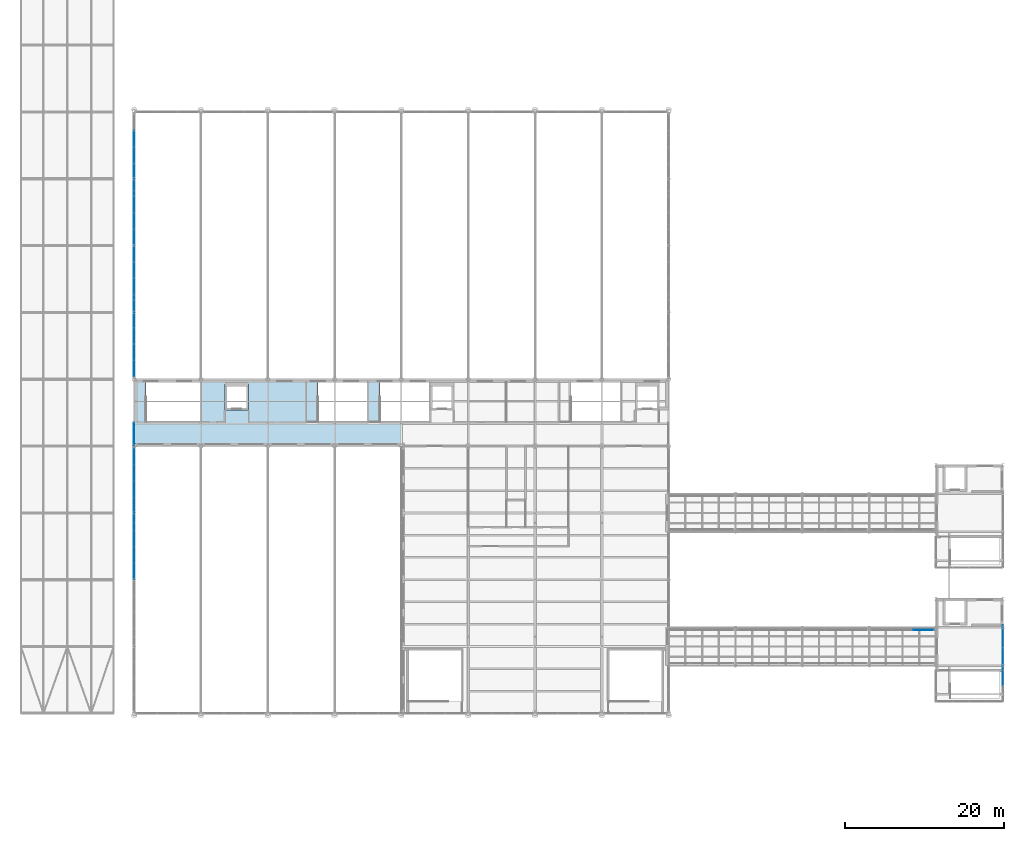
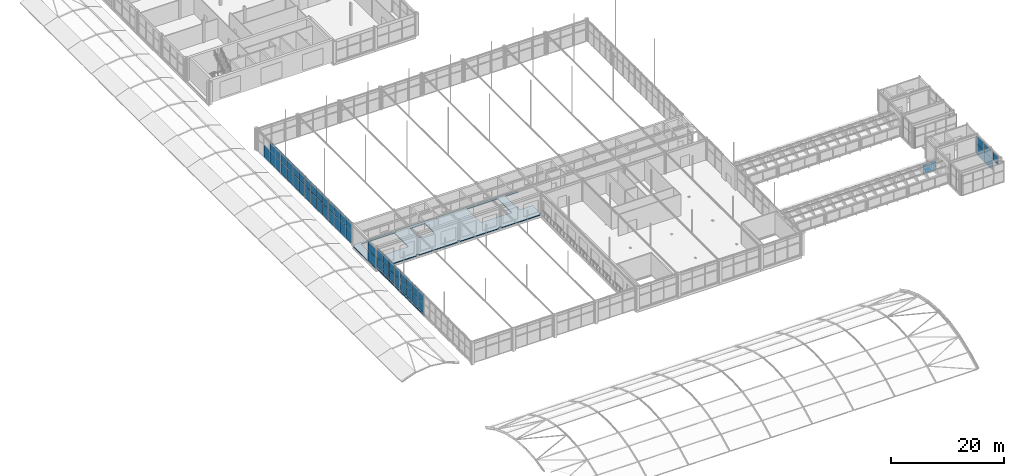
# One storey, part 144 of 167: 61 plates, 1 slab, 7 elements without a shape of their own.
"""IFC4 building model written with IfcOpenShell, lengths in metres."""

from ifc_helpers import new_model, si_unit, direction, frame, origin, origin_2d, place, context, subcontext, project, spatial, polyline, rectangle, outline, extrude, material, layer, layer_set, type_object, element, aggregate, save


model = new_model("IFC4")

# Units and contexts
model_context = context("Model", 3, precision=1e-05, world=origin(), true_north=direction((0.0, 1.0)))
body_context = subcontext(model_context, "Body", "Model", "MODEL_VIEW")
ifc_project = project(units=[si_unit("LENGTHUNIT", "METRE"), si_unit("AREAUNIT", "SQUARE_METRE"), si_unit("VOLUMEUNIT", "CUBIC_METRE"), si_unit("PLANEANGLEUNIT", "RADIAN"), si_unit("MASSUNIT", "GRAM", prefix="KILO")], contexts=[model_context])

# Site, building, storey
site_placement = place(None, origin())
site = spatial("IfcSite", under=ifc_project, at=site_placement, CompositionType="ELEMENT")
building_placement = place(site_placement, origin())
building = spatial("IfcBuilding", under=site, at=building_placement, Name="Catenary Quay Ferry Terminal", CompositionType="ELEMENT")
storey_placement = place(building_placement, frame((0.0, 0.0, 6.0)))
storey = spatial("IfcBuildingStorey", under=building, at=storey_placement, Name="L01", CompositionType="ELEMENT", Elevation=6.0)

# Slab
ifc_material_1 = material(Name="Concrete C35/45", Category="concrete")
ifc_layer_1 = layer(ifc_material_1, 0.199951171875)
ifc_layer_set_1 = layer_set([ifc_layer_1], Name="Composite floor slab 200")
slab_type = type_object("IfcSlabType", Name="Composite floor slab 200", PredefinedType="FLOOR", material=ifc_layer_set_1)
slab_placement = place(storey_placement, frame((0.0, 0.0, -0.199951171875)))
element("IfcSlab", 1, at=slab_placement, inside=storey, type_object=slab_type, Name="L01 spine floor slab", PredefinedType="FLOOR", context=body_context, shape_type="SweptSolid", body=[
    extrude(outline(polyline([(58.800048828125, 101.06396484375), (58.535888671875, 101.06396484375), (58.535888671875, 100.800048828125), (50.6640625, 100.800048828125), (50.6640625, 101.06396484375), (50.135986328125, 101.06396484375), (50.135986328125, 100.800048828125), (42.263916015625, 100.800048828125), (42.263916015625, 101.06396484375), (41.736083984375, 101.06396484375), (41.736083984375, 100.800048828125), (33.864013671875, 100.800048828125), (33.864013671875, 101.06396484375), (33.3359375, 101.06396484375), (33.3359375, 100.800048828125), (25.464111328125, 100.800048828125), (25.464111328125, 101.06396484375), (25.199951171875, 101.06396484375), (25.199951171875, 108.93603515625), (25.464111328125, 108.93603515625), (25.464111328125, 109.199951171875), (33.3359375, 109.199951171875), (33.3359375, 108.93603515625), (33.864013671875, 108.93603515625), (33.864013671875, 109.199951171875), (41.736083984375, 109.199951171875), (41.736083984375, 108.93603515625), (42.263916015625, 108.93603515625), (42.263916015625, 109.199951171875), (50.135986328125, 109.199951171875), (50.135986328125, 108.93603515625), (50.6640625, 108.93603515625), (50.6640625, 109.199951171875), (58.535888671875, 109.199951171875), (58.535888671875, 108.93603515625), (58.800048828125, 108.93603515625), (58.800048828125, 108.800048828125), (56.10009765625, 108.800048828125), (56.10009765625, 103.89990234375), (58.800048828125, 103.89990234375), (58.800048828125, 101.06396484375)]), holes=[polyline([(33.5, 103.89990234375), (33.5, 108.800048828125), (26.699951171875, 108.800048828125), (26.699951171875, 103.89990234375), (33.5, 103.89990234375)]), polyline([(39.60009765625, 105.300048828125), (39.60009765625, 108.60009765625), (36.60009765625, 108.60009765625), (36.60009765625, 105.300048828125), (39.60009765625, 105.300048828125)]), polyline([(54.5, 103.89990234375), (54.5, 108.800048828125), (48.300048828125, 108.800048828125), (48.300048828125, 103.89990234375), (54.5, 103.89990234375)])]), origin(), (0.0, 0.0, 1.0), 0.199951171875),
])

# Curtain wall, plates
ifc_material_2 = material(Name="Aluminium and glass", Category="aluminium")
curtain_wall_type_1 = type_object("IfcCurtainWallType", Name="CWG", PredefinedType="NOTDEFINED", material=ifc_material_2)
curtain_wall_1_placement = place(storey_placement, origin())
curtain_wall_1 = element("IfcCurtainWall", 2, at=curtain_wall_1_placement, inside=storey, type_object=curtain_wall_type_1, Name="Gable arrivals hall curtain wall CW4", PredefinedType="NOTDEFINED")
ifc_material_3 = material(Name="Glass", Category="glass")
ifc_layer_2 = layer(ifc_material_3, 0.031982421875)
ifc_layer_set_2 = layer_set([ifc_layer_2], Name="PN1")
plate_type_1 = type_object("IfcPlateType", Name="PN1", PredefinedType="CURTAIN_PANEL", material=ifc_layer_set_2)
plate_1_placement = place(storey_placement, frame((25.199951171875, 85.03125, 0.66015625), z_axis=(0.0, 0.0, 1.0), x_axis=(0.0, 1.0, 0.0)))
plate_1 = element("IfcPlate", 3, at=plate_1_placement, type_object=plate_type_1, Name="CW4 panel 9.1", PredefinedType="CURTAIN_PANEL", context=body_context, shape_type="SweptSolid", body=[
    extrude(rectangle(XDim=2.00244140625, YDim=0.031982421875, at=origin_2d()), origin(), (0.0, 0.0, 1.0), 2.010009765625),
])
plate_2_placement = place(storey_placement, frame((25.199951171875, 85.03125, 2.72998046875), z_axis=(0.0, 0.0, 1.0), x_axis=(0.0, 1.0, 0.0)))
plate_2 = element("IfcPlate", 4, at=plate_2_placement, type_object=plate_type_1, Name="CW4 panel 9.2", PredefinedType="CURTAIN_PANEL", context=body_context, shape_type="SweptSolid", body=[
    extrude(rectangle(XDim=2.00244140625, YDim=0.031982421875, at=origin_2d()), origin(), (0.0, 0.0, 1.0), 2.010009765625),
])
plate_3_placement = place(storey_placement, frame((25.199951171875, 87.09375, 0.66015625), z_axis=(0.0, 0.0, 1.0), x_axis=(0.0, 1.0, 0.0)))
plate_3 = element("IfcPlate", 5, at=plate_3_placement, type_object=plate_type_1, Name="CW4 panel 10.1", PredefinedType="CURTAIN_PANEL", context=body_context, shape_type="SweptSolid", body=[
    extrude(rectangle(XDim=2.00244140625, YDim=0.031982421875, at=origin_2d()), origin(), (0.0, 0.0, 1.0), 2.010009765625),
])
plate_4_placement = place(storey_placement, frame((25.199951171875, 87.09375, 2.72998046875), z_axis=(0.0, 0.0, 1.0), x_axis=(0.0, 1.0, 0.0)))
plate_4 = element("IfcPlate", 6, at=plate_4_placement, type_object=plate_type_1, Name="CW4 panel 10.2", PredefinedType="CURTAIN_PANEL", context=body_context, shape_type="SweptSolid", body=[
    extrude(rectangle(XDim=2.00244140625, YDim=0.031982421875, at=origin_2d()), origin(), (0.0, 0.0, 1.0), 2.010009765625),
])
plate_5_placement = place(storey_placement, frame((25.199951171875, 89.15625, 0.66015625), z_axis=(0.0, 0.0, 1.0), x_axis=(0.0, 1.0, 0.0)))
plate_5 = element("IfcPlate", 7, at=plate_5_placement, type_object=plate_type_1, Name="CW4 panel 11.1", PredefinedType="CURTAIN_PANEL", context=body_context, shape_type="SweptSolid", body=[
    extrude(rectangle(XDim=2.00244140625, YDim=0.031982421875, at=origin_2d()), origin(), (0.0, 0.0, 1.0), 2.010009765625),
])
plate_6_placement = place(storey_placement, frame((25.199951171875, 89.15625, 2.72998046875), z_axis=(0.0, 0.0, 1.0), x_axis=(0.0, 1.0, 0.0)))
plate_6 = element("IfcPlate", 8, at=plate_6_placement, type_object=plate_type_1, Name="CW4 panel 11.2", PredefinedType="CURTAIN_PANEL", context=body_context, shape_type="SweptSolid", body=[
    extrude(rectangle(XDim=2.00244140625, YDim=0.031982421875, at=origin_2d()), origin(), (0.0, 0.0, 1.0), 2.010009765625),
])
plate_7_placement = place(storey_placement, frame((25.199951171875, 91.21875, 0.66015625), z_axis=(0.0, 0.0, 1.0), x_axis=(0.0, 1.0, 0.0)))
plate_7 = element("IfcPlate", 9, at=plate_7_placement, type_object=plate_type_1, Name="CW4 panel 12.1", PredefinedType="CURTAIN_PANEL", context=body_context, shape_type="SweptSolid", body=[
    extrude(rectangle(XDim=2.00244140625, YDim=0.031982421875, at=origin_2d()), origin(), (0.0, 0.0, 1.0), 2.010009765625),
])
plate_8_placement = place(storey_placement, frame((25.199951171875, 91.21875, 2.72998046875), z_axis=(0.0, 0.0, 1.0), x_axis=(0.0, 1.0, 0.0)))
plate_8 = element("IfcPlate", 10, at=plate_8_placement, type_object=plate_type_1, Name="CW4 panel 12.2", PredefinedType="CURTAIN_PANEL", context=body_context, shape_type="SweptSolid", body=[
    extrude(rectangle(XDim=2.00244140625, YDim=0.031982421875, at=origin_2d()), origin(), (0.0, 0.0, 1.0), 2.010009765625),
])
plate_9_placement = place(storey_placement, frame((25.199951171875, 93.28125, 0.66015625), z_axis=(0.0, 0.0, 1.0), x_axis=(0.0, 1.0, 0.0)))
plate_9 = element("IfcPlate", 11, at=plate_9_placement, type_object=plate_type_1, Name="CW4 panel 13.1", PredefinedType="CURTAIN_PANEL", context=body_context, shape_type="SweptSolid", body=[
    extrude(rectangle(XDim=2.00244140625, YDim=0.031982421875, at=origin_2d()), origin(), (0.0, 0.0, 1.0), 2.010009765625),
])
plate_10_placement = place(storey_placement, frame((25.199951171875, 93.28125, 2.72998046875), z_axis=(0.0, 0.0, 1.0), x_axis=(0.0, 1.0, 0.0)))
plate_10 = element("IfcPlate", 12, at=plate_10_placement, type_object=plate_type_1, Name="CW4 panel 13.2", PredefinedType="CURTAIN_PANEL", context=body_context, shape_type="SweptSolid", body=[
    extrude(rectangle(XDim=2.00244140625, YDim=0.031982421875, at=origin_2d()), origin(), (0.0, 0.0, 1.0), 2.010009765625),
])
plate_11_placement = place(storey_placement, frame((25.199951171875, 95.34375, 0.66015625), z_axis=(0.0, 0.0, 1.0), x_axis=(0.0, 1.0, 0.0)))
plate_11 = element("IfcPlate", 13, at=plate_11_placement, type_object=plate_type_1, Name="CW4 panel 14.1", PredefinedType="CURTAIN_PANEL", context=body_context, shape_type="SweptSolid", body=[
    extrude(rectangle(XDim=2.00244140625, YDim=0.031982421875, at=origin_2d()), origin(), (0.0, 0.0, 1.0), 2.010009765625),
])
plate_12_placement = place(storey_placement, frame((25.199951171875, 95.34375, 2.72998046875), z_axis=(0.0, 0.0, 1.0), x_axis=(0.0, 1.0, 0.0)))
plate_12 = element("IfcPlate", 14, at=plate_12_placement, type_object=plate_type_1, Name="CW4 panel 14.2", PredefinedType="CURTAIN_PANEL", context=body_context, shape_type="SweptSolid", body=[
    extrude(rectangle(XDim=2.00244140625, YDim=0.031982421875, at=origin_2d()), origin(), (0.0, 0.0, 1.0), 2.010009765625),
])
plate_13_placement = place(storey_placement, frame((25.199951171875, 97.40625, 0.66015625), z_axis=(0.0, 0.0, 1.0), x_axis=(0.0, 1.0, 0.0)))
plate_13 = element("IfcPlate", 15, at=plate_13_placement, type_object=plate_type_1, Name="CW4 panel 15.1", PredefinedType="CURTAIN_PANEL", context=body_context, shape_type="SweptSolid", body=[
    extrude(rectangle(XDim=2.00244140625, YDim=0.031982421875, at=origin_2d()), origin(), (0.0, 0.0, 1.0), 2.010009765625),
])
plate_14_placement = place(storey_placement, frame((25.199951171875, 97.40625, 2.72998046875), z_axis=(0.0, 0.0, 1.0), x_axis=(0.0, 1.0, 0.0)))
plate_14 = element("IfcPlate", 16, at=plate_14_placement, type_object=plate_type_1, Name="CW4 panel 15.2", PredefinedType="CURTAIN_PANEL", context=body_context, shape_type="SweptSolid", body=[
    extrude(rectangle(XDim=2.00244140625, YDim=0.031982421875, at=origin_2d()), origin(), (0.0, 0.0, 1.0), 2.010009765625),
])
plate_15_placement = place(storey_placement, frame((25.199951171875, 99.453857421875, 0.66015625), z_axis=(0.0, 0.0, 1.0), x_axis=(0.0, 1.0, 0.0)))
plate_15 = element("IfcPlate", 17, at=plate_15_placement, type_object=plate_type_1, Name="CW4 panel 16.1", PredefinedType="CURTAIN_PANEL", context=body_context, shape_type="SweptSolid", body=[
    extrude(rectangle(XDim=1.972412109375, YDim=0.031982421875, at=origin_2d()), origin(), (0.0, 0.0, 1.0), 2.010009765625),
])
plate_16_placement = place(storey_placement, frame((25.199951171875, 99.453857421875, 2.72998046875), z_axis=(0.0, 0.0, 1.0), x_axis=(0.0, 1.0, 0.0)))
plate_16 = element("IfcPlate", 18, at=plate_16_placement, type_object=plate_type_1, Name="CW4 panel 16.2", PredefinedType="CURTAIN_PANEL", context=body_context, shape_type="SweptSolid", body=[
    extrude(rectangle(XDim=1.972412109375, YDim=0.031982421875, at=origin_2d()), origin(), (0.0, 0.0, 1.0), 2.010009765625),
])
aggregate(curtain_wall_1, [plate_1, plate_2, plate_3, plate_4, plate_5, plate_6, plate_7, plate_8, plate_9, plate_10, plate_11, plate_12, plate_13, plate_14, plate_15, plate_16])

curtain_wall_2_placement = place(storey_placement, origin())
curtain_wall_2 = element("IfcCurtainWall", 19, at=curtain_wall_2_placement, inside=storey, type_object=curtain_wall_type_1, Name="Gable departure hall curtain wall CW16", PredefinedType="NOTDEFINED")
plate_17_placement = place(storey_placement, frame((25.199951171875, 110.546142578125, 0.06005859375), z_axis=(0.0, 0.0, 1.0), x_axis=(0.0, 1.0, 0.0)))
plate_17 = element("IfcPlate", 20, at=plate_17_placement, type_object=plate_type_1, Name="CW16 panel 1.1", PredefinedType="CURTAIN_PANEL", context=body_context, shape_type="SweptSolid", body=[
    extrude(rectangle(XDim=1.972412109375, YDim=0.031982421875, at=origin_2d()), origin(), (0.0, 0.0, 1.0), 2.610107421875),
])
plate_18_placement = place(storey_placement, frame((25.199951171875, 110.546142578125, 2.72998046875), z_axis=(0.0, 0.0, 1.0), x_axis=(0.0, 1.0, 0.0)))
plate_18 = element("IfcPlate", 21, at=plate_18_placement, type_object=plate_type_1, Name="CW16 panel 1.2", PredefinedType="CURTAIN_PANEL", context=body_context, shape_type="SweptSolid", body=[
    extrude(rectangle(XDim=1.972412109375, YDim=0.031982421875, at=origin_2d()), origin(), (0.0, 0.0, 1.0), 2.010009765625),
])
plate_19_placement = place(storey_placement, frame((25.199951171875, 112.59375, 0.06005859375), z_axis=(0.0, 0.0, 1.0), x_axis=(0.0, 1.0, 0.0)))
plate_19 = element("IfcPlate", 22, at=plate_19_placement, type_object=plate_type_1, Name="CW16 panel 2.1", PredefinedType="CURTAIN_PANEL", context=body_context, shape_type="SweptSolid", body=[
    extrude(rectangle(XDim=2.00244140625, YDim=0.031982421875, at=origin_2d()), origin(), (0.0, 0.0, 1.0), 2.610107421875),
])
plate_20_placement = place(storey_placement, frame((25.199951171875, 112.59375, 2.72998046875), z_axis=(0.0, 0.0, 1.0), x_axis=(0.0, 1.0, 0.0)))
plate_20 = element("IfcPlate", 23, at=plate_20_placement, type_object=plate_type_1, Name="CW16 panel 2.2", PredefinedType="CURTAIN_PANEL", context=body_context, shape_type="SweptSolid", body=[
    extrude(rectangle(XDim=2.00244140625, YDim=0.031982421875, at=origin_2d()), origin(), (0.0, 0.0, 1.0), 2.010009765625),
])
plate_21_placement = place(storey_placement, frame((25.199951171875, 114.65625, 0.06005859375), z_axis=(0.0, 0.0, 1.0), x_axis=(0.0, 1.0, 0.0)))
plate_21 = element("IfcPlate", 24, at=plate_21_placement, type_object=plate_type_1, Name="CW16 panel 3.1", PredefinedType="CURTAIN_PANEL", context=body_context, shape_type="SweptSolid", body=[
    extrude(rectangle(XDim=2.00244140625, YDim=0.031982421875, at=origin_2d()), origin(), (0.0, 0.0, 1.0), 2.610107421875),
])
plate_22_placement = place(storey_placement, frame((25.199951171875, 114.65625, 2.72998046875), z_axis=(0.0, 0.0, 1.0), x_axis=(0.0, 1.0, 0.0)))
plate_22 = element("IfcPlate", 25, at=plate_22_placement, type_object=plate_type_1, Name="CW16 panel 3.2", PredefinedType="CURTAIN_PANEL", context=body_context, shape_type="SweptSolid", body=[
    extrude(rectangle(XDim=2.00244140625, YDim=0.031982421875, at=origin_2d()), origin(), (0.0, 0.0, 1.0), 2.010009765625),
])
plate_23_placement = place(storey_placement, frame((25.199951171875, 116.71875, 0.06005859375), z_axis=(0.0, 0.0, 1.0), x_axis=(0.0, 1.0, 0.0)))
plate_23 = element("IfcPlate", 26, at=plate_23_placement, type_object=plate_type_1, Name="CW16 panel 4.1", PredefinedType="CURTAIN_PANEL", context=body_context, shape_type="SweptSolid", body=[
    extrude(rectangle(XDim=2.00244140625, YDim=0.031982421875, at=origin_2d()), origin(), (0.0, 0.0, 1.0), 2.610107421875),
])
plate_24_placement = place(storey_placement, frame((25.199951171875, 116.71875, 2.72998046875), z_axis=(0.0, 0.0, 1.0), x_axis=(0.0, 1.0, 0.0)))
plate_24 = element("IfcPlate", 27, at=plate_24_placement, type_object=plate_type_1, Name="CW16 panel 4.2", PredefinedType="CURTAIN_PANEL", context=body_context, shape_type="SweptSolid", body=[
    extrude(rectangle(XDim=2.00244140625, YDim=0.031982421875, at=origin_2d()), origin(), (0.0, 0.0, 1.0), 2.010009765625),
])
plate_25_placement = place(storey_placement, frame((25.199951171875, 118.78125, 0.06005859375), z_axis=(0.0, 0.0, 1.0), x_axis=(0.0, 1.0, 0.0)))
plate_25 = element("IfcPlate", 28, at=plate_25_placement, type_object=plate_type_1, Name="CW16 panel 5.1", PredefinedType="CURTAIN_PANEL", context=body_context, shape_type="SweptSolid", body=[
    extrude(rectangle(XDim=2.00244140625, YDim=0.031982421875, at=origin_2d()), origin(), (0.0, 0.0, 1.0), 2.610107421875),
])
plate_26_placement = place(storey_placement, frame((25.199951171875, 118.78125, 2.72998046875), z_axis=(0.0, 0.0, 1.0), x_axis=(0.0, 1.0, 0.0)))
plate_26 = element("IfcPlate", 29, at=plate_26_placement, type_object=plate_type_1, Name="CW16 panel 5.2", PredefinedType="CURTAIN_PANEL", context=body_context, shape_type="SweptSolid", body=[
    extrude(rectangle(XDim=2.00244140625, YDim=0.031982421875, at=origin_2d()), origin(), (0.0, 0.0, 1.0), 2.010009765625),
])
plate_27_placement = place(storey_placement, frame((25.199951171875, 120.84375, 0.06005859375), z_axis=(0.0, 0.0, 1.0), x_axis=(0.0, 1.0, 0.0)))
plate_27 = element("IfcPlate", 30, at=plate_27_placement, type_object=plate_type_1, Name="CW16 panel 6.1", PredefinedType="CURTAIN_PANEL", context=body_context, shape_type="SweptSolid", body=[
    extrude(rectangle(XDim=2.00244140625, YDim=0.031982421875, at=origin_2d()), origin(), (0.0, 0.0, 1.0), 2.610107421875),
])
plate_28_placement = place(storey_placement, frame((25.199951171875, 120.84375, 2.72998046875), z_axis=(0.0, 0.0, 1.0), x_axis=(0.0, 1.0, 0.0)))
plate_28 = element("IfcPlate", 31, at=plate_28_placement, type_object=plate_type_1, Name="CW16 panel 6.2", PredefinedType="CURTAIN_PANEL", context=body_context, shape_type="SweptSolid", body=[
    extrude(rectangle(XDim=2.00244140625, YDim=0.031982421875, at=origin_2d()), origin(), (0.0, 0.0, 1.0), 2.010009765625),
])
plate_29_placement = place(storey_placement, frame((25.199951171875, 122.90625, 0.06005859375), z_axis=(0.0, 0.0, 1.0), x_axis=(0.0, 1.0, 0.0)))
plate_29 = element("IfcPlate", 32, at=plate_29_placement, type_object=plate_type_1, Name="CW16 panel 7.1", PredefinedType="CURTAIN_PANEL", context=body_context, shape_type="SweptSolid", body=[
    extrude(rectangle(XDim=2.00244140625, YDim=0.031982421875, at=origin_2d()), origin(), (0.0, 0.0, 1.0), 2.610107421875),
])
plate_30_placement = place(storey_placement, frame((25.199951171875, 122.90625, 2.72998046875), z_axis=(0.0, 0.0, 1.0), x_axis=(0.0, 1.0, 0.0)))
plate_30 = element("IfcPlate", 33, at=plate_30_placement, type_object=plate_type_1, Name="CW16 panel 7.2", PredefinedType="CURTAIN_PANEL", context=body_context, shape_type="SweptSolid", body=[
    extrude(rectangle(XDim=2.00244140625, YDim=0.031982421875, at=origin_2d()), origin(), (0.0, 0.0, 1.0), 2.010009765625),
])
plate_31_placement = place(storey_placement, frame((25.199951171875, 124.96875, 0.06005859375), z_axis=(0.0, 0.0, 1.0), x_axis=(0.0, 1.0, 0.0)))
plate_31 = element("IfcPlate", 34, at=plate_31_placement, type_object=plate_type_1, Name="CW16 panel 8.1", PredefinedType="CURTAIN_PANEL", context=body_context, shape_type="SweptSolid", body=[
    extrude(rectangle(XDim=2.00244140625, YDim=0.031982421875, at=origin_2d()), origin(), (0.0, 0.0, 1.0), 2.610107421875),
])
plate_32_placement = place(storey_placement, frame((25.199951171875, 124.96875, 2.72998046875), z_axis=(0.0, 0.0, 1.0), x_axis=(0.0, 1.0, 0.0)))
plate_32 = element("IfcPlate", 35, at=plate_32_placement, type_object=plate_type_1, Name="CW16 panel 8.2", PredefinedType="CURTAIN_PANEL", context=body_context, shape_type="SweptSolid", body=[
    extrude(rectangle(XDim=2.00244140625, YDim=0.031982421875, at=origin_2d()), origin(), (0.0, 0.0, 1.0), 2.010009765625),
])
plate_33_placement = place(storey_placement, frame((25.199951171875, 127.03125, 0.06005859375), z_axis=(0.0, 0.0, 1.0), x_axis=(0.0, 1.0, 0.0)))
plate_33 = element("IfcPlate", 36, at=plate_33_placement, type_object=plate_type_1, Name="CW16 panel 9.1", PredefinedType="CURTAIN_PANEL", context=body_context, shape_type="SweptSolid", body=[
    extrude(rectangle(XDim=2.00244140625, YDim=0.031982421875, at=origin_2d()), origin(), (0.0, 0.0, 1.0), 2.610107421875),
])
plate_34_placement = place(storey_placement, frame((25.199951171875, 127.03125, 2.72998046875), z_axis=(0.0, 0.0, 1.0), x_axis=(0.0, 1.0, 0.0)))
plate_34 = element("IfcPlate", 37, at=plate_34_placement, type_object=plate_type_1, Name="CW16 panel 9.2", PredefinedType="CURTAIN_PANEL", context=body_context, shape_type="SweptSolid", body=[
    extrude(rectangle(XDim=2.00244140625, YDim=0.031982421875, at=origin_2d()), origin(), (0.0, 0.0, 1.0), 2.010009765625),
])
plate_35_placement = place(storey_placement, frame((25.199951171875, 129.09375, 0.06005859375), z_axis=(0.0, 0.0, 1.0), x_axis=(0.0, 1.0, 0.0)))
plate_35 = element("IfcPlate", 38, at=plate_35_placement, type_object=plate_type_1, Name="CW16 panel 10.1", PredefinedType="CURTAIN_PANEL", context=body_context, shape_type="SweptSolid", body=[
    extrude(rectangle(XDim=2.00244140625, YDim=0.031982421875, at=origin_2d()), origin(), (0.0, 0.0, 1.0), 2.610107421875),
])
plate_36_placement = place(storey_placement, frame((25.199951171875, 129.09375, 2.72998046875), z_axis=(0.0, 0.0, 1.0), x_axis=(0.0, 1.0, 0.0)))
plate_36 = element("IfcPlate", 39, at=plate_36_placement, type_object=plate_type_1, Name="CW16 panel 10.2", PredefinedType="CURTAIN_PANEL", context=body_context, shape_type="SweptSolid", body=[
    extrude(rectangle(XDim=2.00244140625, YDim=0.031982421875, at=origin_2d()), origin(), (0.0, 0.0, 1.0), 2.010009765625),
])
plate_37_placement = place(storey_placement, frame((25.199951171875, 131.15625, 0.06005859375), z_axis=(0.0, 0.0, 1.0), x_axis=(0.0, 1.0, 0.0)))
plate_37 = element("IfcPlate", 40, at=plate_37_placement, type_object=plate_type_1, Name="CW16 panel 11.1", PredefinedType="CURTAIN_PANEL", context=body_context, shape_type="SweptSolid", body=[
    extrude(rectangle(XDim=2.00244140625, YDim=0.031982421875, at=origin_2d()), origin(), (0.0, 0.0, 1.0), 2.610107421875),
])
plate_38_placement = place(storey_placement, frame((25.199951171875, 131.15625, 2.72998046875), z_axis=(0.0, 0.0, 1.0), x_axis=(0.0, 1.0, 0.0)))
plate_38 = element("IfcPlate", 41, at=plate_38_placement, type_object=plate_type_1, Name="CW16 panel 11.2", PredefinedType="CURTAIN_PANEL", context=body_context, shape_type="SweptSolid", body=[
    extrude(rectangle(XDim=2.00244140625, YDim=0.031982421875, at=origin_2d()), origin(), (0.0, 0.0, 1.0), 2.010009765625),
])
plate_39_placement = place(storey_placement, frame((25.199951171875, 133.21875, 0.06005859375), z_axis=(0.0, 0.0, 1.0), x_axis=(0.0, 1.0, 0.0)))
plate_39 = element("IfcPlate", 42, at=plate_39_placement, type_object=plate_type_1, Name="CW16 panel 12.1", PredefinedType="CURTAIN_PANEL", context=body_context, shape_type="SweptSolid", body=[
    extrude(rectangle(XDim=2.00244140625, YDim=0.031982421875, at=origin_2d()), origin(), (0.0, 0.0, 1.0), 2.610107421875),
])
plate_40_placement = place(storey_placement, frame((25.199951171875, 133.21875, 2.72998046875), z_axis=(0.0, 0.0, 1.0), x_axis=(0.0, 1.0, 0.0)))
plate_40 = element("IfcPlate", 43, at=plate_40_placement, type_object=plate_type_1, Name="CW16 panel 12.2", PredefinedType="CURTAIN_PANEL", context=body_context, shape_type="SweptSolid", body=[
    extrude(rectangle(XDim=2.00244140625, YDim=0.031982421875, at=origin_2d()), origin(), (0.0, 0.0, 1.0), 2.010009765625),
])
plate_41_placement = place(storey_placement, frame((25.199951171875, 135.28125, 0.06005859375), z_axis=(0.0, 0.0, 1.0), x_axis=(0.0, 1.0, 0.0)))
plate_41 = element("IfcPlate", 44, at=plate_41_placement, type_object=plate_type_1, Name="CW16 panel 13.1", PredefinedType="CURTAIN_PANEL", context=body_context, shape_type="SweptSolid", body=[
    extrude(rectangle(XDim=2.00244140625, YDim=0.031982421875, at=origin_2d()), origin(), (0.0, 0.0, 1.0), 2.610107421875),
])
plate_42_placement = place(storey_placement, frame((25.199951171875, 135.28125, 2.72998046875), z_axis=(0.0, 0.0, 1.0), x_axis=(0.0, 1.0, 0.0)))
plate_42 = element("IfcPlate", 45, at=plate_42_placement, type_object=plate_type_1, Name="CW16 panel 13.2", PredefinedType="CURTAIN_PANEL", context=body_context, shape_type="SweptSolid", body=[
    extrude(rectangle(XDim=2.00244140625, YDim=0.031982421875, at=origin_2d()), origin(), (0.0, 0.0, 1.0), 2.010009765625),
])
plate_43_placement = place(storey_placement, frame((25.199951171875, 137.34375, 0.06005859375), z_axis=(0.0, 0.0, 1.0), x_axis=(0.0, 1.0, 0.0)))
plate_43 = element("IfcPlate", 46, at=plate_43_placement, type_object=plate_type_1, Name="CW16 panel 14.1", PredefinedType="CURTAIN_PANEL", context=body_context, shape_type="SweptSolid", body=[
    extrude(rectangle(XDim=2.00244140625, YDim=0.031982421875, at=origin_2d()), origin(), (0.0, 0.0, 1.0), 2.610107421875),
])
plate_44_placement = place(storey_placement, frame((25.199951171875, 137.34375, 2.72998046875), z_axis=(0.0, 0.0, 1.0), x_axis=(0.0, 1.0, 0.0)))
plate_44 = element("IfcPlate", 47, at=plate_44_placement, type_object=plate_type_1, Name="CW16 panel 14.2", PredefinedType="CURTAIN_PANEL", context=body_context, shape_type="SweptSolid", body=[
    extrude(rectangle(XDim=2.00244140625, YDim=0.031982421875, at=origin_2d()), origin(), (0.0, 0.0, 1.0), 2.010009765625),
])
plate_45_placement = place(storey_placement, frame((25.199951171875, 139.40625, 0.06005859375), z_axis=(0.0, 0.0, 1.0), x_axis=(0.0, 1.0, 0.0)))
plate_45 = element("IfcPlate", 48, at=plate_45_placement, type_object=plate_type_1, Name="CW16 panel 15.1", PredefinedType="CURTAIN_PANEL", context=body_context, shape_type="SweptSolid", body=[
    extrude(rectangle(XDim=2.00244140625, YDim=0.031982421875, at=origin_2d()), origin(), (0.0, 0.0, 1.0), 2.610107421875),
])
aggregate(curtain_wall_2, [plate_17, plate_18, plate_19, plate_20, plate_21, plate_22, plate_23, plate_24, plate_25, plate_26, plate_27, plate_28, plate_29, plate_30, plate_31, plate_32, plate_33, plate_34, plate_35, plate_36, plate_37, plate_38, plate_39, plate_40, plate_41, plate_42, plate_43, plate_44, plate_45])

ifc_material_4 = material(Name="Aluminium and glass", Category="aluminium")
curtain_wall_type_2 = type_object("IfcCurtainWallType", Name="CWT", PredefinedType="NOTDEFINED", material=ifc_material_4)
curtain_wall_3_placement = place(storey_placement, origin())
curtain_wall_3 = element("IfcCurtainWall", 49, at=curtain_wall_3_placement, inside=storey, type_object=curtain_wall_type_2, Name="Spine corridor curtain wall CW73", PredefinedType="NOTDEFINED")
ifc_material_5 = material(Name="Glass", Category="glass")
ifc_layer_3 = layer(ifc_material_5, 0.0400390625)
ifc_layer_set_3 = layer_set([ifc_layer_3], Name="PN2")
plate_type_2 = type_object("IfcPlateType", Name="PN2", PredefinedType="CURTAIN_PANEL", material=ifc_layer_set_3)
plate_46_placement = place(storey_placement, frame((25.199951171875, 102.300048828125, 0.0498046875), z_axis=(0.0, 0.0, 1.0), x_axis=(0.0, 1.0, 0.0)))
plate_46 = element("IfcPlate", 50, at=plate_46_placement, type_object=plate_type_2, Name="CW73 panel 1.1", PredefinedType="CURTAIN_PANEL", context=body_context, shape_type="SweptSolid", body=[
    extrude(rectangle(XDim=2.8798828125, YDim=0.0400390625, at=origin_2d()), origin(), (0.0, 0.0, 1.0), 2.324951171875),
])
plate_47_placement = place(storey_placement, frame((25.199951171875, 102.300048828125, 2.425048828125), z_axis=(0.0, 0.0, 1.0), x_axis=(0.0, 1.0, 0.0)))
plate_47 = element("IfcPlate", 51, at=plate_47_placement, type_object=plate_type_2, Name="CW73 panel 1.2", PredefinedType="CURTAIN_PANEL", context=body_context, shape_type="SweptSolid", body=[
    extrude(rectangle(XDim=2.8798828125, YDim=0.0400390625, at=origin_2d()), origin(), (0.0, 0.0, 1.0), 1.72509765625),
])
aggregate(curtain_wall_3, [plate_46, plate_47])

# Curtain wall, plate
ifc_material_6 = material(Name="Aluminium and glass", Category="aluminium")
curtain_wall_type_3 = type_object("IfcCurtainWallType", Name="CWK", PredefinedType="NOTDEFINED", material=ifc_material_6)
curtain_wall_4_placement = place(storey_placement, origin())
curtain_wall_4 = element("IfcCurtainWall", 52, at=curtain_wall_4_placement, inside=storey, type_object=curtain_wall_type_3, Name="Head berth 1 stair curtain wall CW81", PredefinedType="NOTDEFINED")
ifc_material_7 = material(Name="Glass", Category="glass")
ifc_layer_4 = layer(ifc_material_7, 0.02490234375)
ifc_layer_set_4 = layer_set([ifc_layer_4], Name="PN3")
plate_type_3 = type_object("IfcPlateType", Name="PN3", PredefinedType="CURTAIN_PANEL", material=ifc_layer_set_4)
plate_48_placement = place(storey_placement, frame((134.39990234375, 71.612548828125, 2.425048828125), z_axis=(0.0, 0.0, 1.0), x_axis=(0.0, 1.0, 0.0)))
plate_48 = element("IfcPlate", 53, at=plate_48_placement, type_object=plate_type_3, Name="CW81 panel 2.2", PredefinedType="CURTAIN_PANEL", context=body_context, shape_type="SweptSolid", body=[
    extrude(rectangle(XDim=1.875, YDim=0.02490234375, at=origin_2d()), origin(), (0.0, 0.0, 1.0), 1.72509765625),
])
aggregate(curtain_wall_4, [plate_48])

# Curtain wall, plates
curtain_wall_5_placement = place(storey_placement, origin())
curtain_wall_5 = element("IfcCurtainWall", 54, at=curtain_wall_5_placement, inside=storey, type_object=curtain_wall_type_3, Name="Head berth 1 landing curtain wall CW83", PredefinedType="NOTDEFINED")
plate_49_placement = place(storey_placement, frame((134.39990234375, 74.03759765625, 0.0498046875), z_axis=(0.0, 0.0, 1.0), x_axis=(0.0, 1.0, 0.0)))
plate_49 = element("IfcPlate", 55, at=plate_49_placement, type_object=plate_type_3, Name="CW83 panel 1.1", PredefinedType="CURTAIN_PANEL", context=body_context, shape_type="SweptSolid", body=[
    extrude(rectangle(XDim=2.77490234375, YDim=0.02490234375, at=origin_2d()), origin(), (0.0, 0.0, 1.0), 2.324951171875),
])
plate_50_placement = place(storey_placement, frame((134.39990234375, 74.03759765625, 2.425048828125), z_axis=(0.0, 0.0, 1.0), x_axis=(0.0, 1.0, 0.0)))
plate_50 = element("IfcPlate", 56, at=plate_50_placement, type_object=plate_type_3, Name="CW83 panel 1.2", PredefinedType="CURTAIN_PANEL", context=body_context, shape_type="SweptSolid", body=[
    extrude(rectangle(XDim=2.77490234375, YDim=0.02490234375, at=origin_2d()), origin(), (0.0, 0.0, 1.0), 1.72509765625),
])
plate_51_placement = place(storey_placement, frame((134.39990234375, 76.862548828125, 0.0498046875), z_axis=(0.0, 0.0, 1.0), x_axis=(0.0, 1.0, 0.0)))
plate_51 = element("IfcPlate", 57, at=plate_51_placement, type_object=plate_type_3, Name="CW83 panel 2.1", PredefinedType="CURTAIN_PANEL", context=body_context, shape_type="SweptSolid", body=[
    extrude(rectangle(XDim=2.77490234375, YDim=0.02490234375, at=origin_2d()), origin(), (0.0, 0.0, 1.0), 2.324951171875),
])
plate_52_placement = place(storey_placement, frame((134.39990234375, 76.862548828125, 2.425048828125), z_axis=(0.0, 0.0, 1.0), x_axis=(0.0, 1.0, 0.0)))
plate_52 = element("IfcPlate", 58, at=plate_52_placement, type_object=plate_type_3, Name="CW83 panel 2.2", PredefinedType="CURTAIN_PANEL", context=body_context, shape_type="SweptSolid", body=[
    extrude(rectangle(XDim=2.77490234375, YDim=0.02490234375, at=origin_2d()), origin(), (0.0, 0.0, 1.0), 1.72509765625),
])
aggregate(curtain_wall_5, [plate_49, plate_50, plate_51, plate_52])

# Curtain wall, plate
ifc_material_8 = material(Name="Aluminium and glass", Category="aluminium")
curtain_wall_type_4 = type_object("IfcCurtainWallType", Name="CWB", PredefinedType="NOTDEFINED", material=ifc_material_8)
curtain_wall_6_placement = place(storey_placement, origin())
curtain_wall_6 = element("IfcCurtainWall", 59, at=curtain_wall_6_placement, inside=storey, type_object=curtain_wall_type_4, Name="BB1 curtain wall CW63", PredefinedType="NOTDEFINED")
ifc_material_9 = material(Name="Ceramic tile facing on insulated backing")
ifc_layer_5 = layer(ifc_material_9, 0.050048828125)
ifc_layer_set_5 = layer_set([ifc_layer_5], Name="PN8")
plate_type_4 = type_object("IfcPlateType", Name="PN8", PredefinedType="CURTAIN_PANEL", material=ifc_layer_set_5)
plate_53_placement = place(storey_placement, frame((124.4208984375, 77.699951171875, 0.0498046875), z_axis=(0.0, 0.0, 1.0), x_axis=(1.0, 0.0, 0.0)))
plate_53 = element("IfcPlate", 60, at=plate_53_placement, type_object=plate_type_4, Name="CW63 panel 3.1", PredefinedType="CURTAIN_PANEL", context=body_context, shape_type="SweptSolid", body=[
    extrude(rectangle(XDim=2.558349609375, YDim=0.050048828125, at=origin_2d()), origin(), (0.0, 0.0, 1.0), 2.094970703125),
])
aggregate(curtain_wall_6, [plate_53])

# Curtain wall, plates
ifc_material_10 = material(Name="Aluminium and glass", Category="aluminium")
curtain_wall_type_5 = type_object("IfcCurtainWallType", Name="CWQ", PredefinedType="NOTDEFINED", material=ifc_material_10)
curtain_wall_7_placement = place(storey_placement, origin())
curtain_wall_7 = element("IfcCurtainWall", 61, at=curtain_wall_7_placement, inside=storey, type_object=curtain_wall_type_5, Name="Gable arrivals hall base curtain wall CW173", PredefinedType="NOTDEFINED")
plate_54_placement = place(storey_placement, frame((25.199951171875, 85.03125, 0.06005859375), z_axis=(0.0, 0.0, 1.0), x_axis=(0.0, 1.0, 0.0)))
plate_54 = element("IfcPlate", 62, at=plate_54_placement, type_object=plate_type_4, Name="CW173 panel 9.1", PredefinedType="CURTAIN_PANEL", context=body_context, shape_type="SweptSolid", body=[
    extrude(rectangle(XDim=2.00244140625, YDim=0.050048828125, at=origin_2d()), origin(), (0.0, 0.0, 1.0), 0.419921875),
])
plate_55_placement = place(storey_placement, frame((25.199951171875, 87.09375, 0.06005859375), z_axis=(0.0, 0.0, 1.0), x_axis=(0.0, 1.0, 0.0)))
plate_55 = element("IfcPlate", 63, at=plate_55_placement, type_object=plate_type_4, Name="CW173 panel 10.1", PredefinedType="CURTAIN_PANEL", context=body_context, shape_type="SweptSolid", body=[
    extrude(rectangle(XDim=2.00244140625, YDim=0.050048828125, at=origin_2d()), origin(), (0.0, 0.0, 1.0), 0.419921875),
])
plate_56_placement = place(storey_placement, frame((25.199951171875, 89.15625, 0.06005859375), z_axis=(0.0, 0.0, 1.0), x_axis=(0.0, 1.0, 0.0)))
plate_56 = element("IfcPlate", 64, at=plate_56_placement, type_object=plate_type_4, Name="CW173 panel 11.1", PredefinedType="CURTAIN_PANEL", context=body_context, shape_type="SweptSolid", body=[
    extrude(rectangle(XDim=2.00244140625, YDim=0.050048828125, at=origin_2d()), origin(), (0.0, 0.0, 1.0), 0.419921875),
])
plate_57_placement = place(storey_placement, frame((25.199951171875, 91.21875, 0.06005859375), z_axis=(0.0, 0.0, 1.0), x_axis=(0.0, 1.0, 0.0)))
plate_57 = element("IfcPlate", 65, at=plate_57_placement, type_object=plate_type_4, Name="CW173 panel 12.1", PredefinedType="CURTAIN_PANEL", context=body_context, shape_type="SweptSolid", body=[
    extrude(rectangle(XDim=2.00244140625, YDim=0.050048828125, at=origin_2d()), origin(), (0.0, 0.0, 1.0), 0.419921875),
])
plate_58_placement = place(storey_placement, frame((25.199951171875, 93.28125, 0.06005859375), z_axis=(0.0, 0.0, 1.0), x_axis=(0.0, 1.0, 0.0)))
plate_58 = element("IfcPlate", 66, at=plate_58_placement, type_object=plate_type_4, Name="CW173 panel 13.1", PredefinedType="CURTAIN_PANEL", context=body_context, shape_type="SweptSolid", body=[
    extrude(rectangle(XDim=2.00244140625, YDim=0.050048828125, at=origin_2d()), origin(), (0.0, 0.0, 1.0), 0.419921875),
])
plate_59_placement = place(storey_placement, frame((25.199951171875, 95.34375, 0.06005859375), z_axis=(0.0, 0.0, 1.0), x_axis=(0.0, 1.0, 0.0)))
plate_59 = element("IfcPlate", 67, at=plate_59_placement, type_object=plate_type_4, Name="CW173 panel 14.1", PredefinedType="CURTAIN_PANEL", context=body_context, shape_type="SweptSolid", body=[
    extrude(rectangle(XDim=2.00244140625, YDim=0.050048828125, at=origin_2d()), origin(), (0.0, 0.0, 1.0), 0.419921875),
])
plate_60_placement = place(storey_placement, frame((25.199951171875, 97.40625, 0.06005859375), z_axis=(0.0, 0.0, 1.0), x_axis=(0.0, 1.0, 0.0)))
plate_60 = element("IfcPlate", 68, at=plate_60_placement, type_object=plate_type_4, Name="CW173 panel 15.1", PredefinedType="CURTAIN_PANEL", context=body_context, shape_type="SweptSolid", body=[
    extrude(rectangle(XDim=2.00244140625, YDim=0.050048828125, at=origin_2d()), origin(), (0.0, 0.0, 1.0), 0.419921875),
])
plate_61_placement = place(storey_placement, frame((25.199951171875, 99.453857421875, 0.06005859375), z_axis=(0.0, 0.0, 1.0), x_axis=(0.0, 1.0, 0.0)))
plate_61 = element("IfcPlate", 69, at=plate_61_placement, type_object=plate_type_4, Name="CW173 panel 16.1", PredefinedType="CURTAIN_PANEL", context=body_context, shape_type="SweptSolid", body=[
    extrude(rectangle(XDim=1.972412109375, YDim=0.050048828125, at=origin_2d()), origin(), (0.0, 0.0, 1.0), 0.419921875),
])
aggregate(curtain_wall_7, [plate_54, plate_55, plate_56, plate_57, plate_58, plate_59, plate_60, plate_61])

save(model, "model.ifc")
